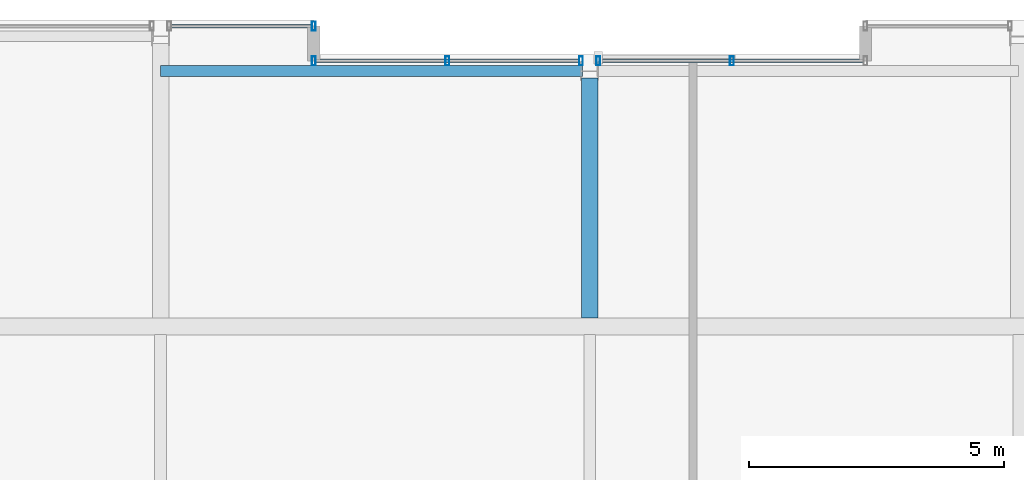
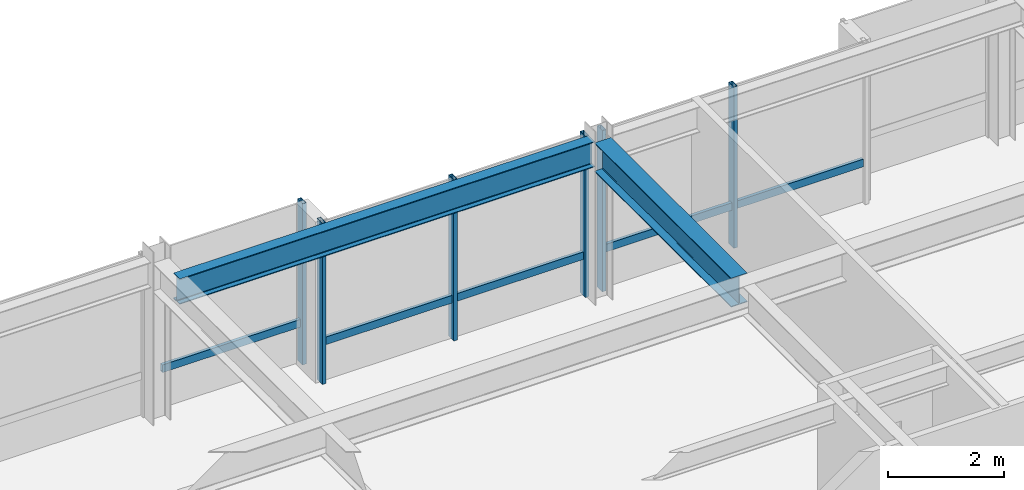
# One storey, part 23 of 33: 9 members, 2 beams, 3 elements without a shape of their own.
"""IFC4 building model written with IfcOpenShell, lengths in metres."""

from ifc_helpers import new_model, si_unit, direction, frame, origin, origin_2d, place, context, subcontext, project, spatial, hollow_rectangle, i_section, extrude, material, layer, layer_set, material_profile, profile_set, type_object, element, aggregate, save


model = new_model("IFC4")

# Units and contexts
model_context = context("Model", 3, precision=1e-05, world=origin(), true_north=direction((0.0, 1.0)))
body_context = subcontext(model_context, "Body", "Model", "MODEL_VIEW")
ifc_project = project(units=[si_unit("LENGTHUNIT", "METRE"), si_unit("AREAUNIT", "SQUARE_METRE"), si_unit("VOLUMEUNIT", "CUBIC_METRE"), si_unit("PLANEANGLEUNIT", "RADIAN"), si_unit("MASSUNIT", "GRAM", prefix="KILO")], contexts=[model_context])

# Site, building, storey
site_placement = place(None, origin())
site = spatial("IfcSite", under=ifc_project, at=site_placement, CompositionType="ELEMENT")
building_placement = place(site_placement, origin())
building = spatial("IfcBuilding", under=site, at=building_placement, Name="Drelvath Grand Hotel", CompositionType="ELEMENT")
storey_placement = place(building_placement, frame((0.0, 0.0, 279.60009765625)))
storey = spatial("IfcBuildingStorey", under=building, at=storey_placement, Name="L73", CompositionType="ELEMENT", Elevation=279.60009765625)

# Curtain wall, member
ifc_material_1 = material(Name="Platinum-Mist Anodised Aluminium Frame", Category="aluminium")
ifc_layer = layer(ifc_material_1, 0.199951171875)
ifc_layer_set = layer_set([ifc_layer], Name="Platinum-Mist Anodised Aluminium Frame")
curtain_wall_type = type_object("IfcCurtainWallType", Name="Stick Curtain Wall CW-05 Platinum Mist High-Rise", PredefinedType="NOTDEFINED", material=ifc_layer_set)
curtain_wall_1_placement = place(storey_placement, origin())
curtain_wall_1 = element("IfcCurtainWall", 1, at=curtain_wall_1_placement, inside=storey, type_object=curtain_wall_type, Name="L73 CW-05 Curtain Wall CW05-L73-NW2", PredefinedType="NOTDEFINED")
ifc_material_profile_1 = material_profile(ifc_material_1, hollow_rectangle(XDim=0.06494140625, YDim=0.159912109375, WallThickness=0.00390625, at=origin_2d()), Name="HSS160X65X4")
ifc_profile_set_1 = profile_set([ifc_material_profile_1], Name="Platinum-Mist Anodised Aluminium Frame")
member_type_1 = type_object("IfcMemberType", Name="Curtain Wall Horizontal Transom CW-05 HSS160X65X4", PredefinedType="USERDEFINED", material=ifc_profile_set_1)
member_1_placement = place(storey_placement, frame((-8.18994140625, 49.080078125, 0.847412109375), z_axis=(1.0, 0.0, 0.0), x_axis=(0.0, 1.0, 0.0)))
member_1 = element("IfcMember", 2, at=member_1_placement, type_object=member_type_1, Name="CW05-L73-NW2 Sill Transom", ObjectType="TRANSOM", PredefinedType="USERDEFINED", context=body_context, shape_type="SweptSolid", body=[
    extrude(hollow_rectangle(XDim=0.06494140625, YDim=0.159912109375, WallThickness=0.00390625, at=origin_2d()), origin(), (0.0, 0.0, 1.0), 2.75),
])

curtain_wall_2_placement = place(storey_placement, origin())
curtain_wall_2 = element("IfcCurtainWall", 3, at=curtain_wall_2_placement, inside=storey, type_object=curtain_wall_type, Name="L73 CW-05 Curtain Wall CW05-L73-NM1", PredefinedType="NOTDEFINED")
member_2_placement = place(storey_placement, frame((-5.360107421875, 48.39990234375, 0.847412109375), z_axis=(1.0, 0.0, 0.0), x_axis=(0.0, 1.0, 0.0)))
member_2 = element("IfcMember", 4, at=member_2_placement, type_object=member_type_1, Name="CW05-L73-NM1 Sill Transom", ObjectType="TRANSOM", PredefinedType="USERDEFINED", context=body_context, shape_type="SweptSolid", body=[
    extrude(hollow_rectangle(XDim=0.06494140625, YDim=0.159912109375, WallThickness=0.00390625, at=origin_2d()), origin(), (0.0, 0.0, 1.0), 5.14990234375),
])

curtain_wall_3_placement = place(storey_placement, origin())
curtain_wall_3 = element("IfcCurtainWall", 5, at=curtain_wall_3_placement, inside=storey, type_object=curtain_wall_type, Name="L73 CW-05 Curtain Wall CW05-L73-NM2", PredefinedType="NOTDEFINED")
member_3_placement = place(storey_placement, frame((0.210205078125, 48.39990234375, 0.847412109375), z_axis=(1.0, 0.0, 0.0), x_axis=(0.0, 1.0, 0.0)))
member_3 = element("IfcMember", 6, at=member_3_placement, type_object=member_type_1, Name="CW05-L73-NM2 Sill Transom", ObjectType="TRANSOM", PredefinedType="USERDEFINED", context=body_context, shape_type="SweptSolid", body=[
    extrude(hollow_rectangle(XDim=0.06494140625, YDim=0.159912109375, WallThickness=0.00390625, at=origin_2d()), origin(), (0.0, 0.0, 1.0), 5.14990234375),
])

# Member
ifc_material_profile_2 = material_profile(ifc_material_1, hollow_rectangle(XDim=0.074951171875, YDim=0.179931640625, WallThickness=0.0048828125, at=origin_2d()), Name="HSS180X75X5")
ifc_profile_set_2 = profile_set([ifc_material_profile_2], Name="Platinum-Mist Anodised Aluminium Frame")
member_type_2 = type_object("IfcMemberType", Name="Curtain Wall Vertical Mullion CW-05 HSS180X75X5", PredefinedType="MULLION", material=ifc_profile_set_2)
member_4_placement = place(storey_placement, frame((-5.39990234375, 49.080078125, 0.0), z_axis=(0.0, 0.0, 1.0), x_axis=(1.0, 0.0, 0.0)))
member_4 = element("IfcMember", 7, at=member_4_placement, type_object=member_type_2, Name="CW05-L73-NW2 Mullion 2", PredefinedType="MULLION", context=body_context, shape_type="SweptSolid", body=[
    extrude(hollow_rectangle(XDim=0.074951171875, YDim=0.179931640625, WallThickness=0.0048828125, at=origin_2d()), origin(), (0.0, 0.0, 1.0), 3.389892578125),
])

aggregate(curtain_wall_1, [member_4, member_1])

member_5_placement = place(storey_placement, frame((-5.39990234375, 48.39990234375, 0.0), z_axis=(0.0, 0.0, 1.0), x_axis=(1.0, 0.0, 0.0)))
member_5 = element("IfcMember", 8, at=member_5_placement, type_object=member_type_2, Name="CW05-L73-NM1 Mullion 1", PredefinedType="MULLION", context=body_context, shape_type="SweptSolid", body=[
    extrude(hollow_rectangle(XDim=0.074951171875, YDim=0.179931640625, WallThickness=0.0048828125, at=origin_2d()), origin(), (0.0, 0.0, 1.0), 3.389892578125),
])

member_6_placement = place(storey_placement, frame((-2.78515625, 48.39990234375, 0.0), z_axis=(0.0, 0.0, 1.0), x_axis=(1.0, 0.0, 0.0)))
member_6 = element("IfcMember", 9, at=member_6_placement, type_object=member_type_2, Name="CW05-L73-NM1 Mullion 2", PredefinedType="MULLION", context=body_context, shape_type="SweptSolid", body=[
    extrude(hollow_rectangle(XDim=0.074951171875, YDim=0.179931640625, WallThickness=0.0048828125, at=origin_2d()), origin(), (0.0, 0.0, 1.0), 3.389892578125),
])

member_7_placement = place(storey_placement, frame((-0.170166015625, 48.39990234375, 0.0), z_axis=(0.0, 0.0, 1.0), x_axis=(1.0, 0.0, 0.0)))
member_7 = element("IfcMember", 10, at=member_7_placement, type_object=member_type_2, Name="CW05-L73-NM1 Mullion 3", PredefinedType="MULLION", context=body_context, shape_type="SweptSolid", body=[
    extrude(hollow_rectangle(XDim=0.074951171875, YDim=0.179931640625, WallThickness=0.0048828125, at=origin_2d()), origin(), (0.0, 0.0, 1.0), 3.389892578125),
])

aggregate(curtain_wall_2, [member_5, member_6, member_7, member_2])

member_8_placement = place(storey_placement, frame((0.170166015625, 48.39990234375, 0.0), z_axis=(0.0, 0.0, 1.0), x_axis=(1.0, 0.0, 0.0)))
member_8 = element("IfcMember", 11, at=member_8_placement, type_object=member_type_2, Name="CW05-L73-NM2 Mullion 1", PredefinedType="MULLION", context=body_context, shape_type="SweptSolid", body=[
    extrude(hollow_rectangle(XDim=0.074951171875, YDim=0.179931640625, WallThickness=0.0048828125, at=origin_2d()), origin(), (0.0, 0.0, 1.0), 3.389892578125),
])

member_9_placement = place(storey_placement, frame((2.78515625, 48.39990234375, 0.0), z_axis=(0.0, 0.0, 1.0), x_axis=(1.0, 0.0, 0.0)))
member_9 = element("IfcMember", 12, at=member_9_placement, type_object=member_type_2, Name="CW05-L73-NM2 Mullion 2", PredefinedType="MULLION", context=body_context, shape_type="SweptSolid", body=[
    extrude(hollow_rectangle(XDim=0.074951171875, YDim=0.179931640625, WallThickness=0.0048828125, at=origin_2d()), origin(), (0.0, 0.0, 1.0), 3.389892578125),
])

aggregate(curtain_wall_3, [member_8, member_9, member_3])

# Beams
ifc_material_2 = material(Name="Steel ASTM A992 Gr 50", Category="steel")
ifc_material_profile_3 = material_profile(ifc_material_2, i_section(OverallWidth=0.210205078125, OverallDepth=0.53662109375, WebThickness=0.010986328125, FlangeThickness=0.017333984375, FilletRadius=0.01806640625, at=origin_2d()), Name="W21X68")
ifc_profile_set_3 = profile_set([ifc_material_profile_3], Name="Steel ASTM A992 Gr 50")
beam_type_1 = type_object("IfcBeamType", Name="Perimeter Spandrel Beam W21X68", PredefinedType="SPANDREL", material=ifc_profile_set_3)
beam_1_placement = place(storey_placement, frame((-8.39990234375, 48.199951171875, 3.12158203125), z_axis=(1.0, 0.0, 0.0), x_axis=(0.0, 1.0, 0.0)))
element("IfcBeam", 13, at=beam_1_placement, inside=storey, type_object=beam_type_1, Name="L73 Spandrel North Mid W", PredefinedType="SPANDREL", context=body_context, shape_type="SweptSolid", body=[
    extrude(i_section(OverallWidth=0.210205078125, OverallDepth=0.53662109375, WebThickness=0.010986328125, FlangeThickness=0.017333984375, FilletRadius=0.01806640625, at=origin_2d()), origin(), (0.0, 0.0, 1.0), 8.260009765625),
])
ifc_material_profile_4 = material_profile(ifc_material_2, i_section(OverallWidth=0.323974609375, OverallDepth=0.611083984375, WebThickness=0.0126953125, FlangeThickness=0.01904296875, FilletRadius=0.02197265625, at=origin_2d()), Name="W24X104")
ifc_profile_set_4 = profile_set([ifc_material_profile_4], Name="Steel ASTM A992 Gr 50")
beam_type_2 = type_object("IfcBeamType", Name="Primary Floor Girder W24X104", PredefinedType="BEAM", material=ifc_profile_set_4)
beam_2_placement = place(storey_placement, frame((0.0, 43.362060546875, 3.08447265625), z_axis=(0.0, 1.0, 0.0), x_axis=(-1.0, 0.0, 0.0)))
element("IfcBeam", 14, at=beam_2_placement, inside=storey, type_object=beam_type_2, Name="L73 North Wing Girder 5", PredefinedType="BEAM", context=body_context, shape_type="SweptSolid", body=[
    extrude(i_section(OverallWidth=0.323974609375, OverallDepth=0.611083984375, WebThickness=0.0126953125, FlangeThickness=0.01904296875, FilletRadius=0.02197265625, at=origin_2d()), origin(), (0.0, 0.0, 1.0), 4.697998046875),
])

save(model, "model.ifc")
